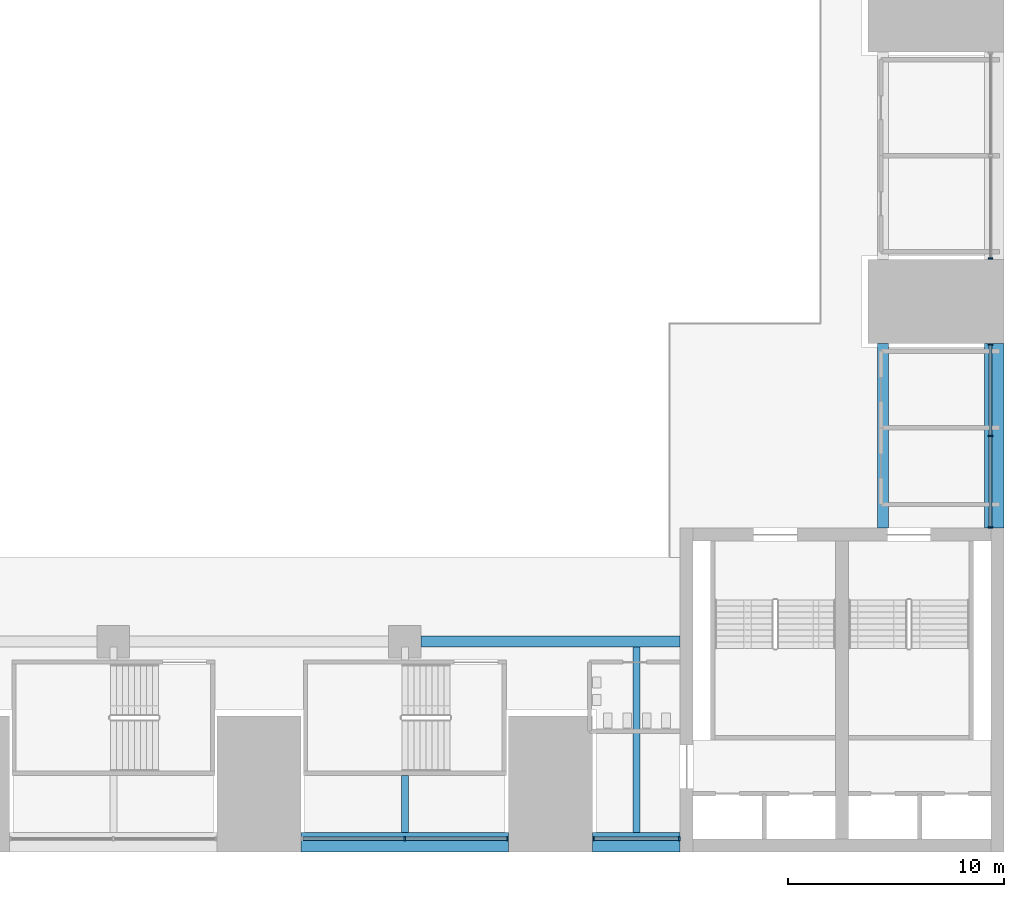
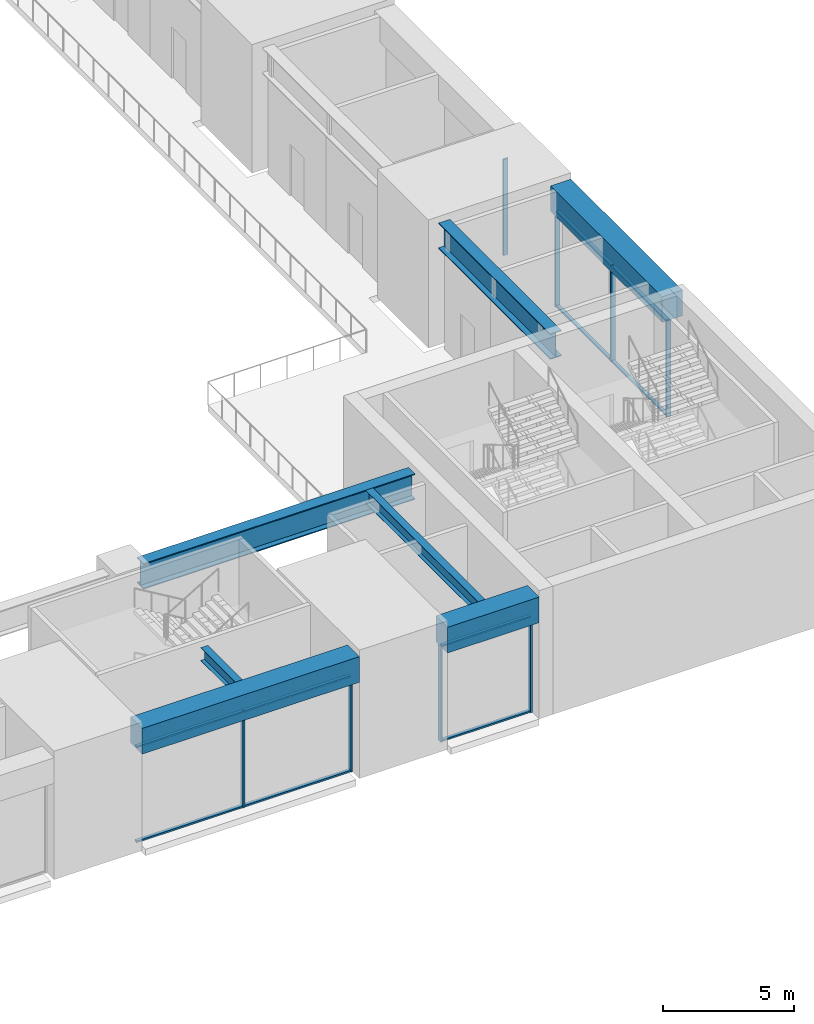
# One storey, part 6 of 41: 18 members, 7 beams, 4 elements without a shape of their own.
"""IFC4 building model written with IfcOpenShell, lengths in metres."""

from ifc_helpers import new_model, si_unit, direction, frame, origin, origin_2d, place, context, subcontext, project, spatial, rectangle, i_section, extrude, material, layer, layer_set, material_profile, profile_set, type_object, element, aggregate, save


model = new_model("IFC4")

# Units and contexts
model_context = context("Model", 3, precision=1e-05, world=origin(), true_north=direction((0.0, 1.0)))
body_context = subcontext(model_context, "Body", "Model", "MODEL_VIEW")
ifc_project = project(units=[si_unit("LENGTHUNIT", "METRE"), si_unit("AREAUNIT", "SQUARE_METRE"), si_unit("VOLUMEUNIT", "CUBIC_METRE"), si_unit("PLANEANGLEUNIT", "RADIAN"), si_unit("MASSUNIT", "GRAM", prefix="KILO")], contexts=[model_context])

# Site, building, storey
site_placement = place(None, origin())
site = spatial("IfcSite", under=ifc_project, at=site_placement, CompositionType="ELEMENT")
building_placement = place(site_placement, origin())
building = spatial("IfcBuilding", under=site, at=building_placement, Name="Corbelhall Arena Tower", CompositionType="ELEMENT")
storey_placement = place(building_placement, frame((0.0, 0.0, 19.0)))
storey = spatial("IfcBuildingStorey", under=building, at=storey_placement, Name="L02", CompositionType="ELEMENT", Elevation=19.0)

# Curtain wall, members
ifc_material_1 = material(Name="Aluminium black anodised", Category="aluminium")
ifc_layer = layer(ifc_material_1, 0.239990234375)
ifc_layer_set = layer_set([ifc_layer], Name="EV-CW4 Arena concourse glazing")
curtain_wall_type = type_object("IfcCurtainWallType", Name="EV-CW4 Arena concourse glazing", PredefinedType="NOTDEFINED", material=ifc_layer_set)
curtain_wall_1_placement = place(storey_placement, origin())
curtain_wall_1 = element("IfcCurtainWall", 1, at=curtain_wall_1_placement, inside=storey, type_object=curtain_wall_type, Name="Curtain wall CW4", PredefinedType="NOTDEFINED")
ifc_material_profile_1 = material_profile(ifc_material_1, rectangle(XDim=0.199951171875, YDim=0.074951171875, at=origin_2d()))
ifc_profile_set_1 = profile_set([ifc_material_profile_1], Name="Aluminium black anodised")
member_type_1 = type_object("IfcMemberType", Name="EV-CW4-MULLION", PredefinedType="MULLION", material=ifc_profile_set_1)
member_1_placement = place(storey_placement, frame((20.25, -38.3798828125, 0.0), z_axis=(0.0, 0.0, 1.0), x_axis=(0.0, 1.0, 0.0)))
member_1 = element("IfcMember", 2, at=member_1_placement, type_object=member_type_1, Name="CW4 mullion 2", PredefinedType="MULLION", context=body_context, shape_type="SweptSolid", body=[
    extrude(rectangle(XDim=0.199951171875, YDim=0.074951171875, at=origin_2d()), origin(), (0.0, 0.0, 1.0), 4.5),
])
member_2_placement = place(storey_placement, frame((25.012451171875, -38.3798828125, 0.0), z_axis=(0.0, 0.0, 1.0), x_axis=(0.0, 1.0, 0.0)))
member_2 = element("IfcMember", 3, at=member_2_placement, type_object=member_type_1, Name="CW4 mullion 3", PredefinedType="MULLION", context=body_context, shape_type="SweptSolid", body=[
    extrude(rectangle(XDim=0.199951171875, YDim=0.074951171875, at=origin_2d()), origin(), (0.0, 0.0, 1.0), 4.5),
])

curtain_wall_2_placement = place(storey_placement, origin())
curtain_wall_2 = element("IfcCurtainWall", 4, at=curtain_wall_2_placement, inside=storey, type_object=curtain_wall_type, Name="Curtain wall CW4A", PredefinedType="NOTDEFINED")
member_3_placement = place(storey_placement, frame((28.987548828125, -38.3798828125, 0.0), z_axis=(0.0, 0.0, 1.0), x_axis=(0.0, 1.0, 0.0)))
member_3 = element("IfcMember", 5, at=member_3_placement, type_object=member_type_1, Name="CW4A mullion 1", PredefinedType="MULLION", context=body_context, shape_type="SweptSolid", body=[
    extrude(rectangle(XDim=0.199951171875, YDim=0.074951171875, at=origin_2d()), origin(), (0.0, 0.0, 1.0), 4.5),
])
member_4_placement = place(storey_placement, frame((32.96240234375, -38.3798828125, 0.0), z_axis=(0.0, 0.0, 1.0), x_axis=(0.0, 1.0, 0.0)))
member_4 = element("IfcMember", 6, at=member_4_placement, type_object=member_type_1, Name="CW4A mullion 2", PredefinedType="MULLION", context=body_context, shape_type="SweptSolid", body=[
    extrude(rectangle(XDim=0.199951171875, YDim=0.074951171875, at=origin_2d()), origin(), (0.0, 0.0, 1.0), 4.5),
])

curtain_wall_3_placement = place(storey_placement, origin())
curtain_wall_3 = element("IfcCurtainWall", 7, at=curtain_wall_3_placement, inside=storey, type_object=curtain_wall_type, Name="Curtain wall CW4B", PredefinedType="NOTDEFINED")
member_5_placement = place(storey_placement, frame((47.3798828125, -23.96240234375, 0.0), z_axis=(0.0, 0.0, 1.0), x_axis=(-1.0, 0.0, 0.0)))
member_5 = element("IfcMember", 8, at=member_5_placement, type_object=member_type_1, Name="CW4B mullion 1", PredefinedType="MULLION", context=body_context, shape_type="SweptSolid", body=[
    extrude(rectangle(XDim=0.199951171875, YDim=0.074951171875, at=origin_2d()), origin(), (0.0, 0.0, 1.0), 4.5),
])
member_6_placement = place(storey_placement, frame((47.3798828125, -19.72509765625, 0.0), z_axis=(0.0, 0.0, 1.0), x_axis=(-1.0, 0.0, 0.0)))
member_6 = element("IfcMember", 9, at=member_6_placement, type_object=member_type_1, Name="CW4B mullion 2", PredefinedType="MULLION", context=body_context, shape_type="SweptSolid", body=[
    extrude(rectangle(XDim=0.199951171875, YDim=0.074951171875, at=origin_2d()), origin(), (0.0, 0.0, 1.0), 4.5),
])
member_7_placement = place(storey_placement, frame((47.3798828125, -15.487548828125, 0.0), z_axis=(0.0, 0.0, 1.0), x_axis=(-1.0, 0.0, 0.0)))
member_7 = element("IfcMember", 10, at=member_7_placement, type_object=member_type_1, Name="CW4B mullion 3", PredefinedType="MULLION", context=body_context, shape_type="SweptSolid", body=[
    extrude(rectangle(XDim=0.199951171875, YDim=0.074951171875, at=origin_2d()), origin(), (0.0, 0.0, 1.0), 4.5),
])

# Curtain wall, member
curtain_wall_4_placement = place(storey_placement, origin())
curtain_wall_4 = element("IfcCurtainWall", 11, at=curtain_wall_4_placement, inside=storey, type_object=curtain_wall_type, Name="Curtain wall CW4", PredefinedType="NOTDEFINED")
member_8_placement = place(storey_placement, frame((47.3798828125, -11.512451171875, 0.0), z_axis=(0.0, 0.0, 1.0), x_axis=(-1.0, 0.0, 0.0)))
member_8 = element("IfcMember", 12, at=member_8_placement, type_object=member_type_1, Name="CW4 mullion 1", PredefinedType="MULLION", context=body_context, shape_type="SweptSolid", body=[
    extrude(rectangle(XDim=0.199951171875, YDim=0.074951171875, at=origin_2d()), origin(), (0.0, 0.0, 1.0), 4.5),
])
aggregate(curtain_wall_4, [member_8])

# Member
ifc_material_profile_2 = material_profile(ifc_material_1, rectangle(XDim=0.14990234375, YDim=0.074951171875, at=origin_2d()))
ifc_profile_set_2 = profile_set([ifc_material_profile_2], Name="Aluminium black anodised")
member_type_2 = type_object("IfcMemberType", Name="EV-CW4-TRANSOM", PredefinedType="USERDEFINED", material=ifc_profile_set_2)
member_9_placement = place(storey_placement, frame((15.52490234375, -38.3798828125, 0.03759765625), z_axis=(1.0, 0.0, 0.0), x_axis=(0.0, 1.0, 0.0)))
member_9 = element("IfcMember", 13, at=member_9_placement, type_object=member_type_2, Name="CW4 transom 1.1", ObjectType="transom", PredefinedType="USERDEFINED", context=body_context, shape_type="SweptSolid", body=[
    extrude(rectangle(XDim=0.14990234375, YDim=0.074951171875, at=origin_2d()), origin(), (0.0, 0.0, 1.0), 4.6875),
])

member_10_placement = place(storey_placement, frame((15.52490234375, -38.3798828125, 4.46240234375), z_axis=(1.0, 0.0, 0.0), x_axis=(0.0, 1.0, 0.0)))
member_10 = element("IfcMember", 14, at=member_10_placement, type_object=member_type_2, Name="CW4 transom 1.2", ObjectType="transom", PredefinedType="USERDEFINED", context=body_context, shape_type="SweptSolid", body=[
    extrude(rectangle(XDim=0.14990234375, YDim=0.074951171875, at=origin_2d()), origin(), (0.0, 0.0, 1.0), 4.6875),
])

member_11_placement = place(storey_placement, frame((20.28759765625, -38.3798828125, 0.03759765625), z_axis=(1.0, 0.0, 0.0), x_axis=(0.0, 1.0, 0.0)))
member_11 = element("IfcMember", 15, at=member_11_placement, type_object=member_type_2, Name="CW4 transom 2.1", ObjectType="transom", PredefinedType="USERDEFINED", context=body_context, shape_type="SweptSolid", body=[
    extrude(rectangle(XDim=0.14990234375, YDim=0.074951171875, at=origin_2d()), origin(), (0.0, 0.0, 1.0), 4.6875),
])

member_12_placement = place(storey_placement, frame((20.28759765625, -38.3798828125, 4.46240234375), z_axis=(1.0, 0.0, 0.0), x_axis=(0.0, 1.0, 0.0)))
member_12 = element("IfcMember", 16, at=member_12_placement, type_object=member_type_2, Name="CW4 transom 2.2", ObjectType="transom", PredefinedType="USERDEFINED", context=body_context, shape_type="SweptSolid", body=[
    extrude(rectangle(XDim=0.14990234375, YDim=0.074951171875, at=origin_2d()), origin(), (0.0, 0.0, 1.0), 4.6875),
])

aggregate(curtain_wall_1, [member_1, member_2, member_9, member_10, member_11, member_12])

member_13_placement = place(storey_placement, frame((29.02490234375, -38.3798828125, 0.03759765625), z_axis=(1.0, 0.0, 0.0), x_axis=(0.0, 1.0, 0.0)))
member_13 = element("IfcMember", 17, at=member_13_placement, type_object=member_type_2, Name="CW4A transom 1.1", ObjectType="transom", PredefinedType="USERDEFINED", context=body_context, shape_type="SweptSolid", body=[
    extrude(rectangle(XDim=0.14990234375, YDim=0.074951171875, at=origin_2d()), origin(), (0.0, 0.0, 1.0), 3.900146484375),
])

member_14_placement = place(storey_placement, frame((29.02490234375, -38.3798828125, 4.46240234375), z_axis=(1.0, 0.0, 0.0), x_axis=(0.0, 1.0, 0.0)))
member_14 = element("IfcMember", 18, at=member_14_placement, type_object=member_type_2, Name="CW4A transom 1.2", ObjectType="transom", PredefinedType="USERDEFINED", context=body_context, shape_type="SweptSolid", body=[
    extrude(rectangle(XDim=0.14990234375, YDim=0.074951171875, at=origin_2d()), origin(), (0.0, 0.0, 1.0), 3.900146484375),
])

aggregate(curtain_wall_2, [member_3, member_4, member_13, member_14])

member_15_placement = place(storey_placement, frame((47.3798828125, -23.925048828125, 0.03759765625), z_axis=(0.0, 1.0, 0.0), x_axis=(-1.0, 0.0, 0.0)))
member_15 = element("IfcMember", 19, at=member_15_placement, type_object=member_type_2, Name="CW4B transom 1.1", ObjectType="transom", PredefinedType="USERDEFINED", context=body_context, shape_type="SweptSolid", body=[
    extrude(rectangle(XDim=0.14990234375, YDim=0.074951171875, at=origin_2d()), origin(), (0.0, 0.0, 1.0), 4.16259765625),
])

member_16_placement = place(storey_placement, frame((47.3798828125, -23.925048828125, 4.46240234375), z_axis=(0.0, 1.0, 0.0), x_axis=(-1.0, 0.0, 0.0)))
member_16 = element("IfcMember", 20, at=member_16_placement, type_object=member_type_2, Name="CW4B transom 1.2", ObjectType="transom", PredefinedType="USERDEFINED", context=body_context, shape_type="SweptSolid", body=[
    extrude(rectangle(XDim=0.14990234375, YDim=0.074951171875, at=origin_2d()), origin(), (0.0, 0.0, 1.0), 4.16259765625),
])

member_17_placement = place(storey_placement, frame((47.3798828125, -19.6875, 0.03759765625), z_axis=(0.0, 1.0, 0.0), x_axis=(-1.0, 0.0, 0.0)))
member_17 = element("IfcMember", 21, at=member_17_placement, type_object=member_type_2, Name="CW4B transom 2.1", ObjectType="transom", PredefinedType="USERDEFINED", context=body_context, shape_type="SweptSolid", body=[
    extrude(rectangle(XDim=0.14990234375, YDim=0.074951171875, at=origin_2d()), origin(), (0.0, 0.0, 1.0), 4.16259765625),
])

member_18_placement = place(storey_placement, frame((47.3798828125, -19.6875, 4.46240234375), z_axis=(0.0, 1.0, 0.0), x_axis=(-1.0, 0.0, 0.0)))
member_18 = element("IfcMember", 22, at=member_18_placement, type_object=member_type_2, Name="CW4B transom 2.2", ObjectType="transom", PredefinedType="USERDEFINED", context=body_context, shape_type="SweptSolid", body=[
    extrude(rectangle(XDim=0.14990234375, YDim=0.074951171875, at=origin_2d()), origin(), (0.0, 0.0, 1.0), 4.16259765625),
])

aggregate(curtain_wall_3, [member_5, member_6, member_7, member_15, member_16, member_17, member_18])

# Beams
ifc_material_2 = material(Name="Steel ASTM A992 Gr50", Category="steel")
ifc_material_profile_3 = material_profile(ifc_material_2, i_section(OverallWidth=0.323974609375, OverallDepth=0.611083984375, WebThickness=0.0126953125, FlangeThickness=0.01904296875, at=origin_2d()))
ifc_profile_set_3 = profile_set([ifc_material_profile_3], Name="Steel ASTM A992 Gr50")
beam_type_1 = type_object("IfcBeamType", Name="PO-BEAM-W24X104", PredefinedType="BEAM", material=ifc_profile_set_3)
beam_1_placement = place(storey_placement, frame((20.25, -35.449951171875, 5.39453125), z_axis=(0.0, -1.0, 0.0), x_axis=(1.0, 0.0, 0.0)))
element("IfcBeam", 23, at=beam_1_placement, inside=storey, type_object=beam_type_1, Name="CONCOURSE BEAM", PredefinedType="BEAM", context=body_context, shape_type="SweptSolid", body=[
    extrude(i_section(OverallWidth=0.323974609375, OverallDepth=0.611083984375, WebThickness=0.0126953125, FlangeThickness=0.01904296875, at=origin_2d()), origin(), (0.0, 0.0, 1.0), 2.650146484375),
])
beam_2_placement = place(storey_placement, frame((30.97509765625, -29.5, 5.39453125), z_axis=(0.0, -1.0, 0.0), x_axis=(1.0, 0.0, 0.0)))
element("IfcBeam", 24, at=beam_2_placement, inside=storey, type_object=beam_type_1, Name="CONCOURSE BEAM", PredefinedType="BEAM", context=body_context, shape_type="SweptSolid", body=[
    extrude(i_section(OverallWidth=0.323974609375, OverallDepth=0.611083984375, WebThickness=0.0126953125, FlangeThickness=0.01904296875, at=origin_2d()), origin(), (0.0, 0.0, 1.0), 8.60009765625),
])
ifc_material_3 = material(Name="Steel ASTM A572 Gr50", Category="steel")
ifc_material_profile_4 = material_profile(ifc_material_3, i_section(OverallWidth=0.5, OverallDepth=1.199951171875, WebThickness=0.02490234375, FlangeThickness=0.044921875, at=origin_2d()))
ifc_profile_set_4 = profile_set([ifc_material_profile_4], Name="Steel ASTM A572 Gr50")
beam_type_2 = type_object("IfcBeamType", Name="PO-GIRDER-PG1200X500X25X45", PredefinedType="BEAM", material=ifc_profile_set_4)
beam_3_placement = place(storey_placement, frame((21.0, -29.25, 5.10009765625), z_axis=(1.0, 0.0, 0.0), x_axis=(0.0, 1.0, 0.0)))
element("IfcBeam", 25, at=beam_3_placement, inside=storey, type_object=beam_type_2, Name="RING GIRDER", PredefinedType="BEAM", context=body_context, shape_type="SweptSolid", body=[
    extrude(i_section(OverallWidth=0.5, OverallDepth=1.199951171875, WebThickness=0.02490234375, FlangeThickness=0.044921875, at=origin_2d()), origin(), (0.0, 0.0, 1.0), 12.0),
])
beam_4_placement = place(storey_placement, frame((42.39990234375, -24.0, 5.10009765625), z_axis=(0.0, 1.0, 0.0), x_axis=(-1.0, 0.0, 0.0)))
element("IfcBeam", 26, at=beam_4_placement, inside=storey, type_object=beam_type_2, Name="INNER END GIRDER", PredefinedType="BEAM", context=body_context, shape_type="SweptSolid", body=[
    extrude(i_section(OverallWidth=0.5, OverallDepth=1.199951171875, WebThickness=0.02490234375, FlangeThickness=0.044921875, at=origin_2d()), origin(), (0.0, 0.0, 1.0), 8.550048828125),
])
ifc_material_4 = material(Name="Concrete C80/95", Category="concrete")
ifc_material_profile_5 = material_profile(ifc_material_4, rectangle(XDim=0.89990234375, YDim=1.199951171875, at=origin_2d()))
ifc_profile_set_5 = profile_set([ifc_material_profile_5], Name="Concrete C80/95")
beam_type_3 = type_object("IfcBeamType", Name="PO-RING-BEAM", PredefinedType="BEAM", material=ifc_profile_set_5)
beam_5_placement = place(storey_placement, frame((15.449951171875, -38.550048828125, 5.10009765625), z_axis=(1.0, 0.0, 0.0), x_axis=(0.0, 1.0, 0.0)))
element("IfcBeam", 27, at=beam_5_placement, inside=storey, type_object=beam_type_3, Name="RING GIRDER L03 S5", PredefinedType="BEAM", context=body_context, shape_type="SweptSolid", body=[
    extrude(rectangle(XDim=0.89990234375, YDim=1.199951171875, at=origin_2d()), origin(), (0.0, 0.0, 1.0), 9.60009765625),
])
beam_6_placement = place(storey_placement, frame((28.949951171875, -38.550048828125, 5.10009765625), z_axis=(1.0, 0.0, 0.0), x_axis=(0.0, 1.0, 0.0)))
element("IfcBeam", 28, at=beam_6_placement, inside=storey, type_object=beam_type_3, Name="RING GIRDER L03 S6", PredefinedType="BEAM", context=body_context, shape_type="SweptSolid", body=[
    extrude(rectangle(XDim=0.89990234375, YDim=1.199951171875, at=origin_2d()), origin(), (0.0, 0.0, 1.0), 4.050048828125),
])
beam_7_placement = place(storey_placement, frame((47.550048828125, -24.0, 5.10009765625), z_axis=(0.0, 1.0, 0.0), x_axis=(-1.0, 0.0, 0.0)))
element("IfcBeam", 29, at=beam_7_placement, inside=storey, type_object=beam_type_3, Name="RING GIRDER L03 E1", PredefinedType="BEAM", context=body_context, shape_type="SweptSolid", body=[
    extrude(rectangle(XDim=0.89990234375, YDim=1.199951171875, at=origin_2d()), origin(), (0.0, 0.0, 1.0), 8.550048828125),
])

save(model, "model.ifc")
